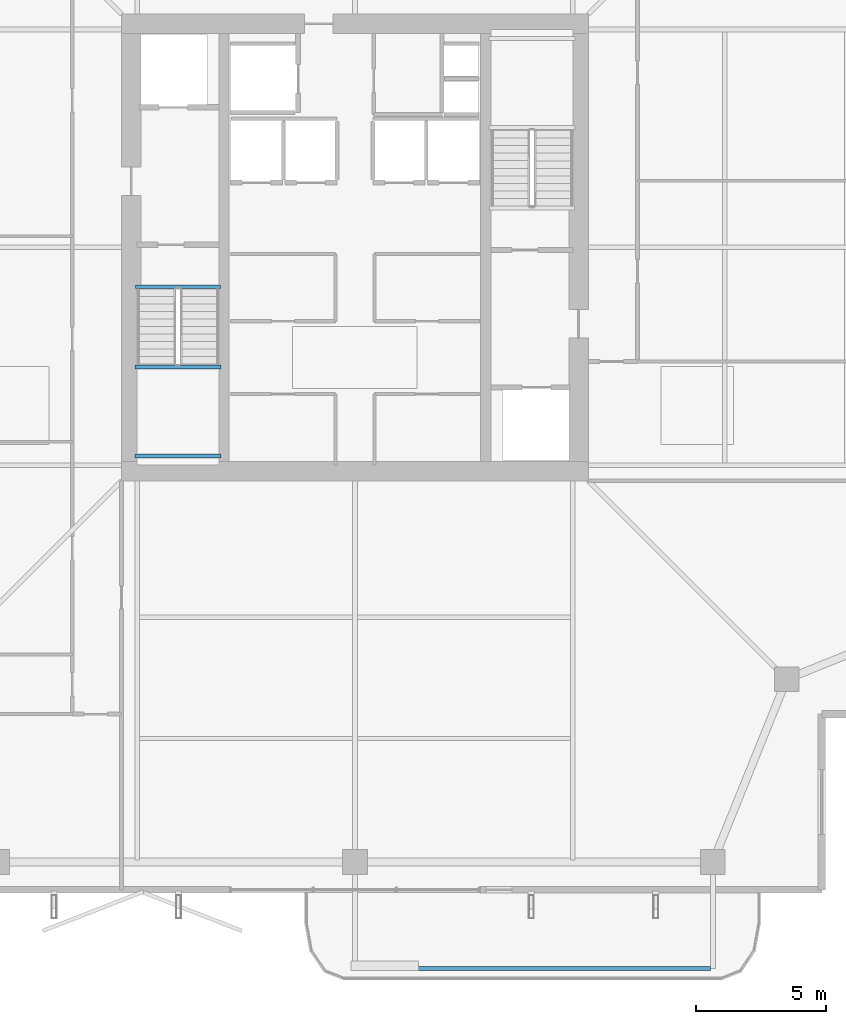
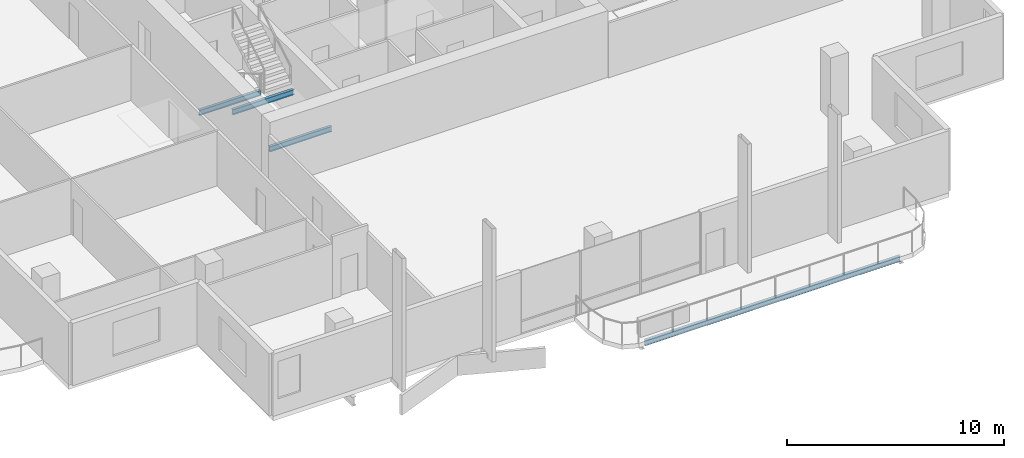
# One storey, part 7 of 25: 4 beams.
"""IFC4 building model written with IfcOpenShell, lengths in metres."""

from ifc_helpers import new_model, si_unit, direction, frame, origin, origin_2d, place, context, subcontext, project, spatial, i_section, extrude, material, material_profile, profile_set, type_object, element, save


model = new_model("IFC4")

# Units and contexts
model_context = context("Model", 3, precision=1e-05, world=origin(), true_north=direction((0.0, 1.0)))
body_context = subcontext(model_context, "Body", "Model", "MODEL_VIEW")
ifc_project = project(units=[si_unit("LENGTHUNIT", "METRE"), si_unit("AREAUNIT", "SQUARE_METRE"), si_unit("VOLUMEUNIT", "CUBIC_METRE"), si_unit("PLANEANGLEUNIT", "RADIAN"), si_unit("MASSUNIT", "GRAM", prefix="KILO")], contexts=[model_context])

# Site, building, storey
site_placement = place(None, origin())
site = spatial("IfcSite", under=ifc_project, at=site_placement, CompositionType="ELEMENT")
building_placement = place(site_placement, origin())
building = spatial("IfcBuilding", under=site, at=building_placement, Name="Belovzor Exchange Tower", CompositionType="ELEMENT")
storey_placement = place(building_placement, frame((0.0, 0.0, 272.85009765625)))
storey = spatial("IfcBuildingStorey", under=building, at=storey_placement, Name="L68", CompositionType="ELEMENT", Elevation=272.85009765625)

# Beams
ifc_material_1 = material(Name="Steel S355", Category="steel")
ifc_material_profile_1 = material_profile(ifc_material_1, i_section(OverallWidth=0.14990234375, OverallDepth=0.300048828125, WebThickness=0.007080078125, FlangeThickness=0.0107421875, at=origin_2d()))
ifc_profile_set_1 = profile_set([ifc_material_profile_1], Name="Steel S355")
beam_type_1 = type_object("IfcBeamType", Name="Planted Balcony Fascia Edge Beam IPE 300", PredefinedType="BEAM", material=ifc_profile_set_1)
beam_1_placement = place(storey_placement, frame((28.89990234375, 0.989013671875, -0.400146484375), z_axis=(1.0, 0.0, 0.0), x_axis=(0.0, 1.0, 0.0)))
element("IfcBeam", 1, at=beam_1_placement, inside=storey, type_object=beam_type_1, Name="BC-300 Planted Balcony Fascia Edge Beam IPE 300", PredefinedType="BEAM", context=body_context, shape_type="SweptSolid", body=[
    extrude(i_section(OverallWidth=0.14990234375, OverallDepth=0.300048828125, WebThickness=0.007080078125, FlangeThickness=0.0107421875, at=origin_2d()), origin(), (0.0, 0.0, 1.0), 13.60009765625),
])
ifc_material_2 = material(Name="Steel S355", Category="steel")
ifc_material_profile_2 = material_profile(ifc_material_2, i_section(OverallWidth=0.14990234375, OverallDepth=0.300048828125, WebThickness=0.007080078125, FlangeThickness=0.0107421875, at=origin_2d()))
ifc_profile_set_2 = profile_set([ifc_material_profile_2], Name="Steel S355")
beam_type_2 = type_object("IfcBeamType", Name="Secondary Trim Floor Joist IPE 300", PredefinedType="BEAM", material=ifc_profile_set_2)
for number, where, z_axis, x_axis, name in (
    (2, (20.320068359375, 24.179931640625, 1.52490234375), (1.0, 0.0, 0.0), (0.0, 1.0, 0.0), "FJ-300 Secondary Trim Floor Joist IPE 300"),
    (3, (20.320068359375, 20.75, 1.52490234375), (1.0, 0.0, 0.0), (0.0, 1.0, 0.0), "FJ-300 Secondary Trim Floor Joist IPE 300"),
):
    element("IfcBeam", number, at=place(storey_placement, frame(where, z_axis=z_axis, x_axis=x_axis)), inside=storey, type_object=beam_type_2, Name=name, PredefinedType="BEAM", context=body_context, shape_type="SweptSolid", body=[
        extrude(i_section(OverallWidth=0.14990234375, OverallDepth=0.300048828125, WebThickness=0.007080078125, FlangeThickness=0.0107421875, at=origin_2d()), origin(), (0.0, 0.0, 1.0), 3.309814453125),
    ])
beam_2_placement = place(storey_placement, frame((20.340087890625, 27.280029296875, -0.400146484375), z_axis=(1.0, 0.0, 0.0), x_axis=(0.0, 1.0, 0.0)))
element("IfcBeam", 4, at=beam_2_placement, inside=storey, type_object=beam_type_2, Name="FJ-300 Secondary Trim Floor Joist IPE 300", PredefinedType="BEAM", context=body_context, shape_type="SweptSolid", body=[
    extrude(i_section(OverallWidth=0.14990234375, OverallDepth=0.300048828125, WebThickness=0.007080078125, FlangeThickness=0.0107421875, at=origin_2d()), origin(), (0.0, 0.0, 1.0), 3.27001953125),
])

save(model, "model.ifc")
